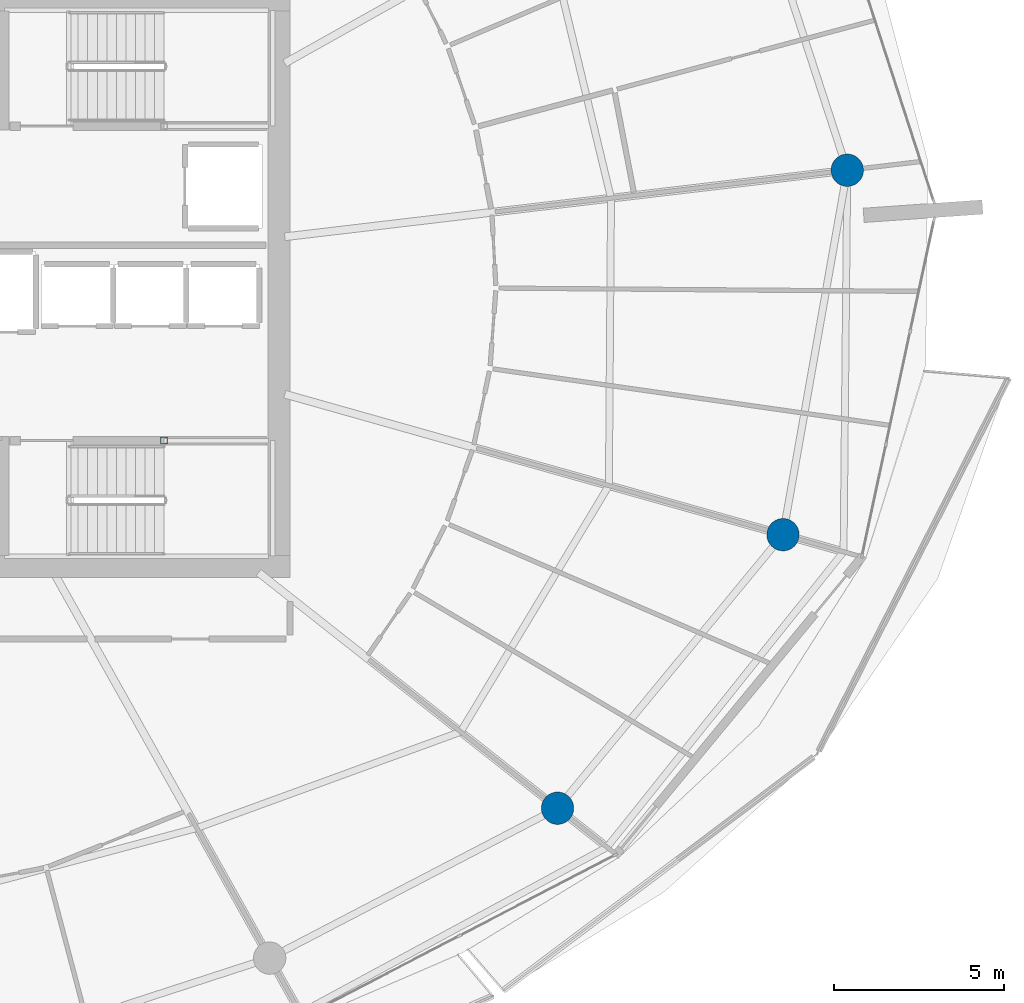
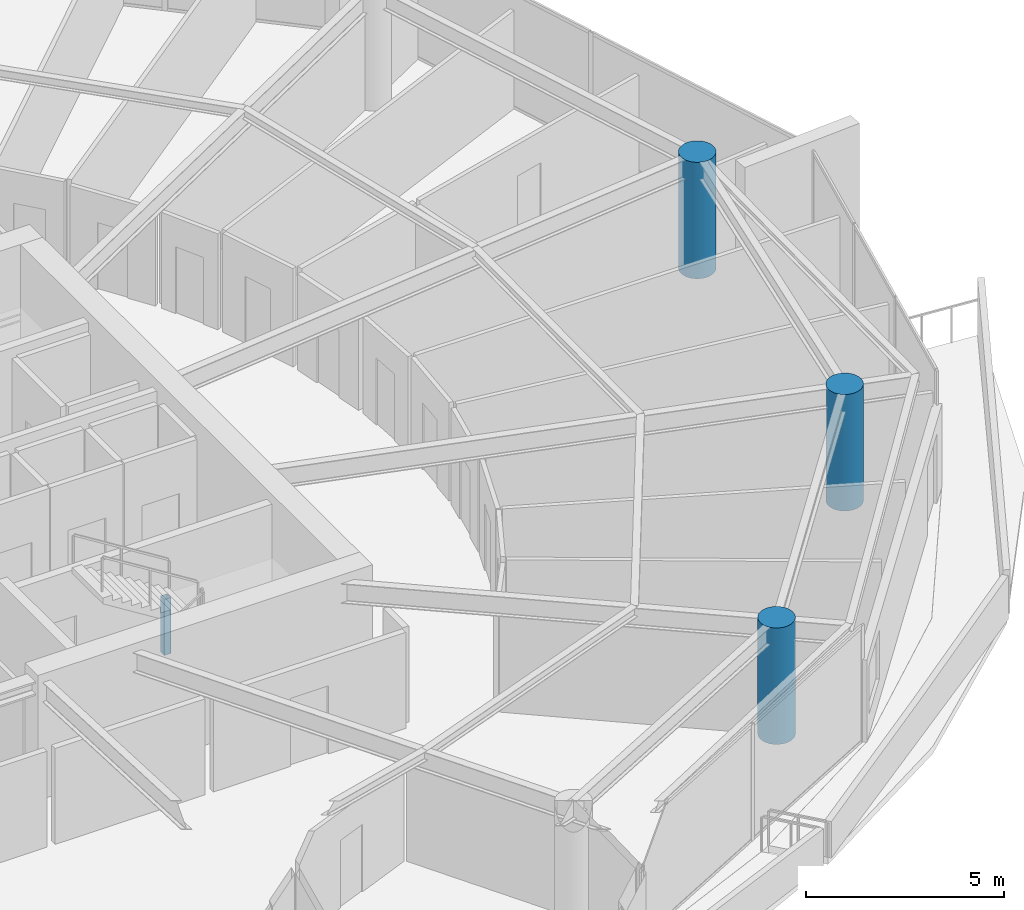
# One storey, part 3 of 31: 4 columns.
"""IFC4 building model written with IfcOpenShell, lengths in metres."""

from ifc_helpers import new_model, si_unit, direction, frame, origin, origin_2d, place, context, subcontext, project, spatial, hollow_rectangle, circle, extrude, material, material_profile, profile_set, type_object, element, save


model = new_model("IFC4")

# Units and contexts
model_context = context("Model", 3, precision=1e-05, world=origin(), true_north=direction((0.0, 1.0)))
body_context = subcontext(model_context, "Body", "Model", "MODEL_VIEW")
ifc_project = project(units=[si_unit("LENGTHUNIT", "METRE"), si_unit("AREAUNIT", "SQUARE_METRE"), si_unit("VOLUMEUNIT", "CUBIC_METRE"), si_unit("PLANEANGLEUNIT", "RADIAN"), si_unit("MASSUNIT", "GRAM", prefix="KILO")], contexts=[model_context])

# Site, building, storey
site_placement = place(None, origin())
site = spatial("IfcSite", under=ifc_project, at=site_placement, CompositionType="ELEMENT")
building_placement = place(site_placement, origin())
building = spatial("IfcBuilding", under=site, at=building_placement, Name="Kazma Halo Residences", CompositionType="ELEMENT")
storey_placement = place(building_placement, frame((0.0, 0.0, 271.35009765625)))
storey = spatial("IfcBuildingStorey", under=building, at=storey_placement, Name="L68", CompositionType="ELEMENT", Elevation=271.35009765625)

# Columns
ifc_material_1 = material(Name="Steel S355", Category="steel")
ifc_material_profile_1 = material_profile(ifc_material_1, hollow_rectangle(XDim=0.199951171875, YDim=0.199951171875, WallThickness=0.010009765625, InnerFilletRadius=0.010009765625, OuterFilletRadius=0.02001953125, at=origin_2d()), Name="SHS200x200x10")
ifc_profile_set_1 = profile_set([ifc_material_profile_1], Name="Steel S355")
column_type_1 = type_object("IfcColumnType", Name="COL-LP-SHS200", PredefinedType="COLUMN", material=ifc_profile_set_1)
column_placement = place(storey_placement, frame((56.0, 37.3798828125, 0.0), z_axis=(0.0, 0.0, 1.0), x_axis=(1.0, 0.0, 0.0)))
element("IfcColumn", 1, at=column_placement, inside=storey, type_object=column_type_1, Name="L68 ST-03 landing pilaster 1", PredefinedType="COLUMN", context=body_context, shape_type="SweptSolid", body=[
    extrude(hollow_rectangle(XDim=0.199951171875, YDim=0.199951171875, WallThickness=0.010009765625, InnerFilletRadius=0.010009765625, OuterFilletRadius=0.02001953125, at=origin_2d()), origin(), (0.0, 0.0, 1.0), 1.719970703125),
])
ifc_material_2 = material(Name="Concrete C60/75", Category="concrete")
ifc_material_profile_2 = material_profile(ifc_material_2, circle(Radius=0.47509765625, at=origin_2d()), Name="CIRC950")
ifc_profile_set_2 = profile_set([ifc_material_profile_2], Name="Concrete C60/75")
column_type_2 = type_object("IfcColumnType", Name="COL-PERIM-950", PredefinedType="COLUMN", material=ifc_profile_set_2)
for number, where, z_axis, x_axis, name in (
    (2, (67.566162109375, 26.5751953125, 0.0), (0.0, 0.0, 1.0), (1.0, 0.0, 0.0), "L68 perimeter ring column P14"),
    (3, (74.19091796875, 34.61328125, 0.0), (0.0, 0.0, 1.0), (1.0, 0.0, 0.0), "L68 perimeter ring column P15"),
    (4, (76.07958984375, 45.323486328125, 0.0), (0.0, 0.0, 1.0), (1.0, 0.0, 0.0), "L68 perimeter ring column P16"),
):
    element("IfcColumn", number, at=place(storey_placement, frame(where, z_axis=z_axis, x_axis=x_axis)), inside=storey, type_object=column_type_2, Name=name, PredefinedType="COLUMN", context=body_context, shape_type="SweptSolid", body=[
        extrude(circle(Radius=0.47509765625, at=origin_2d()), origin(), (0.0, 0.0, 1.0), 3.58984375),
    ])

save(model, "model.ifc")
